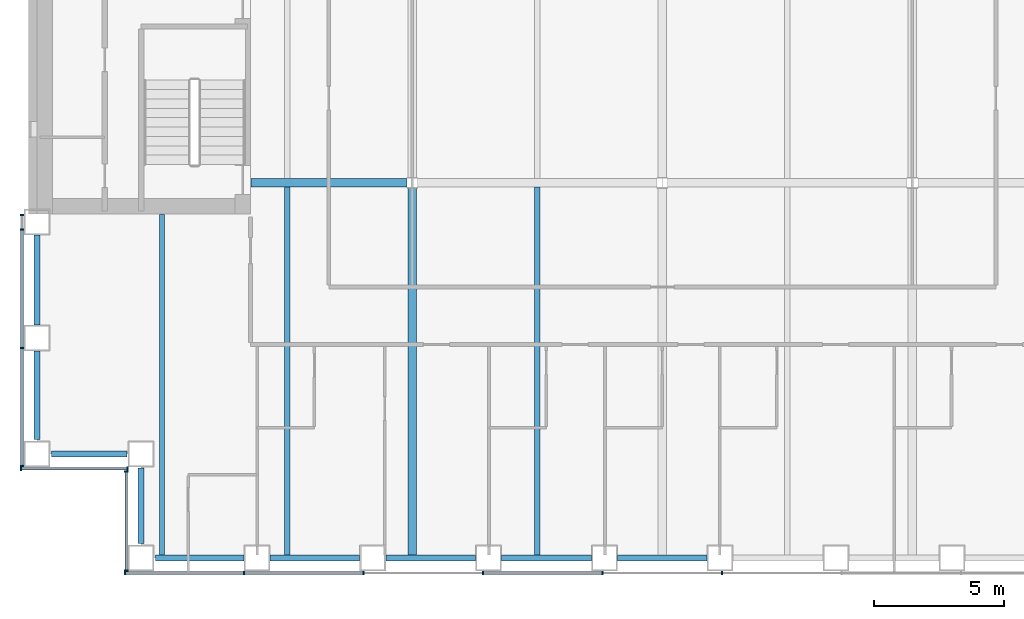
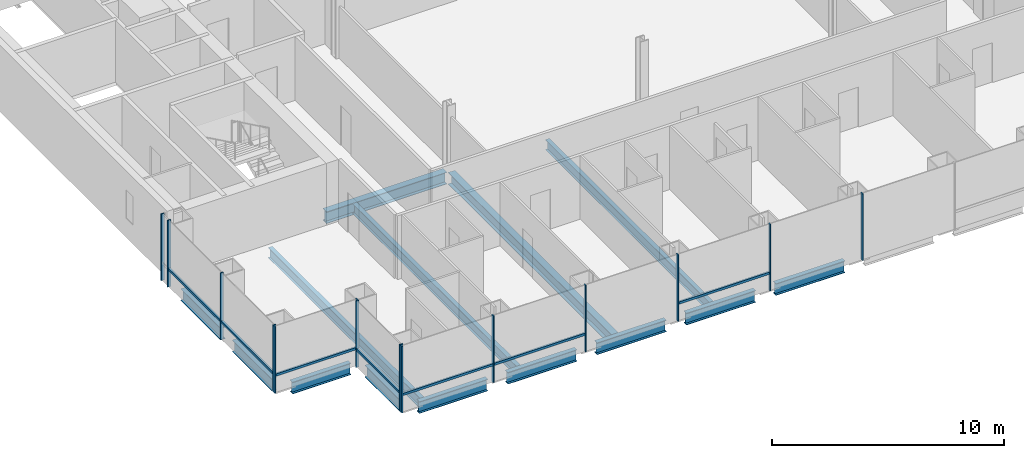
# One storey, part 2 of 21: 21 members, 14 beams, 4 elements without a shape of their own.
"""IFC4 building model written with IfcOpenShell, lengths in metres."""

import ifcopenshell
import ifcopenshell.guid

model = None  # the IFC model being written
_history = None  # IfcOwnerHistory: only IFC2X3 demands one
_inside = {}  # id of a spatial element -> (the spatial element, [elements in it])
_under = {}  # id of a project, library or spatial element -> (it, [spatial elements below it])
_declared = {}  # id of a project -> (the project, [libraries it declares])
_typed = {}  # id of a type object -> (the type object, [elements of that type])
_made_of = {}  # id of a material, layer set ... -> (it, [elements and type objects made of it])


def new_model(schema):
    """Start an empty IFC model of exactly this schema.

    Asked for "IFC4X3", IfcOpenShell would pick the latest addendum, in which some entities
    have other attributes; the version numbers below select the first issue.
    IFC2X3 requires an IfcOwnerHistory on every rooted entity: one is made here for all.
    """
    global model, _history
    if schema == "IFC4X3":
        model = ifcopenshell.file(schema_version=(4, 3, 0, 0))
    else:
        model = ifcopenshell.file(schema=schema)
    _inside.clear()
    _under.clear()
    _declared.clear()
    _typed.clear()
    _made_of.clear()
    _history = None
    if model.schema == "IFC2X3":
        org = make("IfcOrganization", Name="unknown")
        user = make(
            "IfcPersonAndOrganization",
            ThePerson=make("IfcPerson", FamilyName="unknown"),
            TheOrganization=org,
        )
        app = make(
            "IfcApplication",
            ApplicationDeveloper=org,
            Version="unknown",
            ApplicationFullName="unknown",
            ApplicationIdentifier="unknown",
        )
        _history = make(
            "IfcOwnerHistory",
            OwningUser=user,
            OwningApplication=app,
            ChangeAction="ADDED",
            CreationDate=0,
        )
    return model


def make(cls, **values):
    """One entity of the class cls with the attributes given. An attribute that is None is left unset."""
    return model.create_entity(
        cls, **{name: value for name, value in values.items() if value is not None}
    )


def rooted(cls, **values):
    """An entity with a GlobalId (a new one), such as an element, a storey or a relation."""
    return make(cls, GlobalId=ifcopenshell.guid.new(), OwnerHistory=_history, **values)


def si_unit(unit_type, name, prefix=None):
    """IfcSIUnit, for example si_unit("LENGTHUNIT", "METRE", prefix="MILLI")."""
    return make("IfcSIUnit", UnitType=unit_type, Prefix=prefix, Name=name)


def assignment(units):
    """IfcUnitAssignment: the units of a project."""
    return None if units is None else make("IfcUnitAssignment", Units=units)


def point(xyz):
    """IfcCartesianPoint."""
    return None if xyz is None else make("IfcCartesianPoint", Coordinates=xyz)


def direction(xyz):
    """IfcDirection."""
    return None if xyz is None else make("IfcDirection", DirectionRatios=xyz)


def frame(location, z_axis=None, x_axis=None):
    """IfcAxis2Placement3D, a coordinate frame: its origin and axes. An axis left out is left unset."""
    return make(
        "IfcAxis2Placement3D",
        Location=point(location),
        Axis=direction(z_axis),
        RefDirection=direction(x_axis),
    )


def frame_2d(location, x_axis=None):
    """IfcAxis2Placement2D, a coordinate frame in the plane: its origin and x axis."""
    return make(
        "IfcAxis2Placement2D", Location=point(location), RefDirection=direction(x_axis)
    )


def origin():
    """The frame at (0, 0, 0) with its axes left unset."""
    return frame((0.0, 0.0, 0.0))


def origin_2d():
    """The frame at (0, 0) in the plane with its x axis left unset."""
    return frame_2d((0.0, 0.0))


def place(relative_to, where):
    """IfcLocalPlacement: puts the frame where relative to a parent placement (None: the world)."""
    return make(
        "IfcLocalPlacement", PlacementRelTo=relative_to, RelativePlacement=where
    )


def context(
    kind, dimensions, precision=None, world=None, true_north=None, identifier=None
):
    """IfcGeometricRepresentationContext, for example the 3D "Model" context."""
    return make(
        "IfcGeometricRepresentationContext",
        ContextIdentifier=identifier,
        ContextType=kind,
        CoordinateSpaceDimension=dimensions,
        Precision=precision,
        WorldCoordinateSystem=world,
        TrueNorth=true_north,
    )


def subcontext(parent, identifier, kind, view, scale=None):
    """IfcGeometricRepresentationSubContext, for example "Body" below "Model"."""
    return make(
        "IfcGeometricRepresentationSubContext",
        ContextIdentifier=identifier,
        ContextType=kind,
        ParentContext=parent,
        TargetScale=scale,
        TargetView=view,
    )


def project(units=None, contexts=None):
    """IfcProject with its units and contexts."""
    return rooted(
        "IfcProject",
        Name="project",
        RepresentationContexts=contexts,
        UnitsInContext=assignment(units),
    )


def spatial(cls, under=None, at=None, **own):
    """A site, building, storey or space (cls), placed at a placement, below another one or the project."""
    s = rooted(cls, ObjectPlacement=at, **own)
    if under is not None:
        _under.setdefault(under.id(), (under, []))[1].append(s)
    return s


def profile(cls, at=None, kind="AREA", **sizes):
    """A parametric profile (cls). Its sizes go by their IFC names, for example OverallWidth=200.0."""
    return make(cls, ProfileType=kind, Position=at, **sizes)


def rectangle(**sizes):
    """IfcRectangleProfileDef."""
    return profile("IfcRectangleProfileDef", **sizes)


def i_section(**sizes):
    """IfcIShapeProfileDef."""
    return profile("IfcIShapeProfileDef", **sizes)


def extrude(swept, where, along, depth):
    """IfcExtrudedAreaSolid: the profile swept, set in the frame where, extruded along a direction by depth."""
    return make(
        "IfcExtrudedAreaSolid",
        SweptArea=swept,
        Position=where,
        ExtrudedDirection=direction(along),
        Depth=depth,
    )


def shape(context_of_items, identifier, shape_type, items):
    """IfcShapeRepresentation: the items that make up one representation, for example the "Body"."""
    return make(
        "IfcShapeRepresentation",
        ContextOfItems=context_of_items,
        RepresentationIdentifier=identifier,
        RepresentationType=shape_type,
        Items=items,
    )


def material(Name=None, Category=None):
    """IfcMaterial."""
    return make("IfcMaterial", Name=Name, Category=Category)


def material_profile(
    of_material, cross_section, Name=None, Category=None, Priority=None
):
    """IfcMaterialProfile: a cross section and its material."""
    return make(
        "IfcMaterialProfile",
        Name=Name,
        Material=of_material,
        Profile=cross_section,
        Priority=Priority,
        Category=Category,
    )


def profile_set(profiles, Name=None, composite=None):
    """IfcMaterialProfileSet."""
    return make(
        "IfcMaterialProfileSet",
        Name=Name,
        MaterialProfiles=profiles,
        CompositeProfile=composite,
    )


def made_of(thing, what):
    """Note that an element or type object is made of a material, layer set ...; save() writes the relation."""
    if what is not None:
        _made_of.setdefault(what.id(), (what, []))[1].append(thing)
    return thing


def type_object(cls, material=None, **own):
    """A type object (cls), such as IfcWallType, which elements share."""
    return made_of(rooted(cls, **own), material)


def element(
    cls,
    number,
    at=None,
    inside=None,
    cuts=None,
    type_object=None,
    material=None,
    context=None,
    identifier="Body",
    shape_type=None,
    held_by="IfcProductDefinitionShape",
    body=None,
    shapes=None,
    **own,
):
    """One element of the class cls, such as IfcWall. Its Tag is "e" and its number.

    at: its placement. inside: the storey or other place that contains it. cuts: it is an
    opening in that element (IfcRelVoidsElement). A single representation is given by context,
    identifier, shape_type and body (its items); several are given by shapes. held_by: the class
    of the entity that holds the representations. save() writes the other relations.
    """
    e = rooted(cls, Tag="e%d" % number, ObjectPlacement=at, **own)
    if body is not None:
        shapes = [shape(context, identifier, shape_type, body)]
    if shapes is not None:
        e.Representation = make(held_by, Representations=shapes)
    if inside is not None:
        _inside.setdefault(inside.id(), (inside, []))[1].append(e)
    if cuts is not None:
        rooted(
            "IfcRelVoidsElement", RelatingBuildingElement=cuts, RelatedOpeningElement=e
        )
    if type_object is not None:
        _typed.setdefault(type_object.id(), (type_object, []))[1].append(e)
    return made_of(e, material)


def aggregate(whole, parts):
    """IfcRelAggregates: a whole, such as a stair, and the parts it consists of."""
    return rooted("IfcRelAggregates", RelatingObject=whole, RelatedObjects=parts)


def save(model, path):
    """Write the relations noted so far, then the file.

    IfcRelAggregates (storeys below a building ...), IfcRelContainedInSpatialStructure (elements
    in a storey), IfcRelDefinesByType, IfcRelAssociatesMaterial and IfcRelDeclares: one each for
    every whole, place, type object, material and project.
    """
    for whole, parts in _under.values():
        aggregate(whole, parts)
    for where, things in _inside.values():
        rooted(
            "IfcRelContainedInSpatialStructure",
            RelatedElements=things,
            RelatingStructure=where,
        )
    for kind, things in _typed.values():
        rooted("IfcRelDefinesByType", RelatedObjects=things, RelatingType=kind)
    for what, things in _made_of.values():
        rooted("IfcRelAssociatesMaterial", RelatedObjects=things, RelatingMaterial=what)
    for by, libraries in _declared.values():
        rooted("IfcRelDeclares", RelatingContext=by, RelatedDefinitions=libraries)
    model.write(path)


model = new_model("IFC4")

# Units and contexts
model_context = context("Model", 3, precision=1e-05, world=origin(), true_north=direction((0.0, 1.0)))
body_context = subcontext(model_context, "Body", "Model", "MODEL_VIEW")
ifc_project = project(units=[si_unit("LENGTHUNIT", "METRE"), si_unit("AREAUNIT", "SQUARE_METRE"), si_unit("VOLUMEUNIT", "CUBIC_METRE"), si_unit("PLANEANGLEUNIT", "RADIAN"), si_unit("MASSUNIT", "GRAM", prefix="KILO")], contexts=[model_context])

# Site, building, storey
site_placement = place(None, origin())
site = spatial("IfcSite", under=ifc_project, at=site_placement, CompositionType="ELEMENT")
building_placement = place(site_placement, origin())
building = spatial("IfcBuilding", under=site, at=building_placement, Name="Cobrizo Arcos Hotel Tower", CompositionType="ELEMENT")
storey_placement = place(building_placement, frame((0.0, 0.0, 42.5)))
storey = spatial("IfcBuildingStorey", under=building, at=storey_placement, Name="L08", CompositionType="ELEMENT", Elevation=42.5)

# Curtain wall, members
ifc_material_1 = material(Name="Aluminium 6063-T6 anodised bronze", Category="aluminium")
curtain_wall_type = type_object("IfcCurtainWallType", Name="CW-A guest facade", PredefinedType="NOTDEFINED", material=ifc_material_1)
curtain_wall_1_placement = place(storey_placement, origin())
curtain_wall_1 = element("IfcCurtainWall", 1, at=curtain_wall_1_placement, inside=storey, type_object=curtain_wall_type, Name="CW-A L08 S face", PredefinedType="NOTDEFINED")
ifc_material_profile_1 = material_profile(ifc_material_1, rectangle(XDim=0.14990234375, YDim=0.06005859375, at=origin_2d()), Name="CW-A mullion 150x60")
ifc_profile_set_1 = profile_set([ifc_material_profile_1], Name="Aluminium 6063-T6 anodised bronze")
member_type_1 = type_object("IfcMemberType", Name="CW-A mullion 150x60", PredefinedType="MULLION", material=ifc_profile_set_1)
member_1_placement = place(storey_placement, frame((-20.6201171875, -24.574951171875, 0.0), z_axis=(0.0, 0.0, 1.0), x_axis=(0.0, -1.0, 0.0)))
member_1 = element("IfcMember", 2, at=member_1_placement, type_object=member_type_1, Name="CW-A mullion 1", PredefinedType="MULLION", context=body_context, shape_type="SweptSolid", body=[
    extrude(rectangle(XDim=0.14990234375, YDim=0.06005859375, at=origin_2d()), origin(), (0.0, 0.0, 1.0), 3.5),
])
member_2_placement = place(storey_placement, frame((-16.06103515625, -24.574951171875, 0.0), z_axis=(0.0, 0.0, 1.0), x_axis=(0.0, -1.0, 0.0)))
member_2 = element("IfcMember", 3, at=member_2_placement, type_object=member_type_1, Name="CW-A mullion 2", PredefinedType="MULLION", context=body_context, shape_type="SweptSolid", body=[
    extrude(rectangle(XDim=0.14990234375, YDim=0.06005859375, at=origin_2d()), origin(), (0.0, 0.0, 1.0), 3.5),
])
member_3_placement = place(storey_placement, frame((-11.47216796875, -24.574951171875, 0.0), z_axis=(0.0, 0.0, 1.0), x_axis=(0.0, -1.0, 0.0)))
member_3 = element("IfcMember", 4, at=member_3_placement, type_object=member_type_1, Name="CW-A mullion 3", PredefinedType="MULLION", context=body_context, shape_type="SweptSolid", body=[
    extrude(rectangle(XDim=0.14990234375, YDim=0.06005859375, at=origin_2d()), origin(), (0.0, 0.0, 1.0), 3.5),
])
member_4_placement = place(storey_placement, frame((-6.88330078125, -24.574951171875, 0.0), z_axis=(0.0, 0.0, 1.0), x_axis=(0.0, -1.0, 0.0)))
member_4 = element("IfcMember", 5, at=member_4_placement, type_object=member_type_1, Name="CW-A mullion 4", PredefinedType="MULLION", context=body_context, shape_type="SweptSolid", body=[
    extrude(rectangle(XDim=0.14990234375, YDim=0.06005859375, at=origin_2d()), origin(), (0.0, 0.0, 1.0), 3.5),
])
member_5_placement = place(storey_placement, frame((-2.29443359375, -24.574951171875, 0.0), z_axis=(0.0, 0.0, 1.0), x_axis=(0.0, -1.0, 0.0)))
member_5 = element("IfcMember", 6, at=member_5_placement, type_object=member_type_1, Name="CW-A mullion 5", PredefinedType="MULLION", context=body_context, shape_type="SweptSolid", body=[
    extrude(rectangle(XDim=0.14990234375, YDim=0.06005859375, at=origin_2d()), origin(), (0.0, 0.0, 1.0), 3.5),
])
member_6_placement = place(storey_placement, frame((2.29443359375, -24.574951171875, 0.0), z_axis=(0.0, 0.0, 1.0), x_axis=(0.0, -1.0, 0.0)))
member_6 = element("IfcMember", 7, at=member_6_placement, type_object=member_type_1, Name="CW-A mullion 6", PredefinedType="MULLION", context=body_context, shape_type="SweptSolid", body=[
    extrude(rectangle(XDim=0.14990234375, YDim=0.06005859375, at=origin_2d()), origin(), (0.0, 0.0, 1.0), 3.5),
])

curtain_wall_2_placement = place(storey_placement, origin())
curtain_wall_2 = element("IfcCurtainWall", 8, at=curtain_wall_2_placement, inside=storey, type_object=curtain_wall_type, Name="CW-A L08 W face", PredefinedType="NOTDEFINED")
member_7_placement = place(storey_placement, frame((-24.574951171875, -10.830078125, 0.0), z_axis=(0.0, 0.0, 1.0), x_axis=(-1.0, 0.0, 0.0)))
member_7 = element("IfcMember", 9, at=member_7_placement, type_object=member_type_1, Name="CW-A mullion 1", PredefinedType="MULLION", context=body_context, shape_type="SweptSolid", body=[
    extrude(rectangle(XDim=0.14990234375, YDim=0.06005859375, at=origin_2d()), origin(), (0.0, 0.0, 1.0), 3.5),
])
member_8_placement = place(storey_placement, frame((-24.574951171875, -11.388916015625, 0.0), z_axis=(0.0, 0.0, 1.0), x_axis=(-1.0, 0.0, 0.0)))
member_8 = element("IfcMember", 10, at=member_8_placement, type_object=member_type_1, Name="CW-A mullion 2", PredefinedType="MULLION", context=body_context, shape_type="SweptSolid", body=[
    extrude(rectangle(XDim=0.14990234375, YDim=0.06005859375, at=origin_2d()), origin(), (0.0, 0.0, 1.0), 3.5),
])
member_9_placement = place(storey_placement, frame((-24.574951171875, -15.9443359375, 0.0), z_axis=(0.0, 0.0, 1.0), x_axis=(-1.0, 0.0, 0.0)))
member_9 = element("IfcMember", 11, at=member_9_placement, type_object=member_type_1, Name="CW-A mullion 3", PredefinedType="MULLION", context=body_context, shape_type="SweptSolid", body=[
    extrude(rectangle(XDim=0.14990234375, YDim=0.06005859375, at=origin_2d()), origin(), (0.0, 0.0, 1.0), 3.5),
])
member_10_placement = place(storey_placement, frame((-24.574951171875, -20.469970703125, 0.0), z_axis=(0.0, 0.0, 1.0), x_axis=(-1.0, 0.0, 0.0)))
member_10 = element("IfcMember", 12, at=member_10_placement, type_object=member_type_1, Name="CW-A mullion 4", PredefinedType="MULLION", context=body_context, shape_type="SweptSolid", body=[
    extrude(rectangle(XDim=0.14990234375, YDim=0.06005859375, at=origin_2d()), origin(), (0.0, 0.0, 1.0), 3.5),
])

curtain_wall_3_placement = place(storey_placement, origin())
curtain_wall_3 = element("IfcCurtainWall", 13, at=curtain_wall_3_placement, inside=storey, type_object=curtain_wall_type, Name="CW-A L08 S face", PredefinedType="NOTDEFINED")
member_11_placement = place(storey_placement, frame((-24.6201171875, -20.574951171875, 0.0), z_axis=(0.0, 0.0, 1.0), x_axis=(0.0, -1.0, 0.0)))
member_11 = element("IfcMember", 14, at=member_11_placement, type_object=member_type_1, Name="CW-A mullion 1", PredefinedType="MULLION", context=body_context, shape_type="SweptSolid", body=[
    extrude(rectangle(XDim=0.14990234375, YDim=0.06005859375, at=origin_2d()), origin(), (0.0, 0.0, 1.0), 3.5),
])
member_12_placement = place(storey_placement, frame((-20.530029296875, -20.574951171875, 0.0), z_axis=(0.0, 0.0, 1.0), x_axis=(0.0, -1.0, 0.0)))
member_12 = element("IfcMember", 15, at=member_12_placement, type_object=member_type_1, Name="CW-A mullion 2", PredefinedType="MULLION", context=body_context, shape_type="SweptSolid", body=[
    extrude(rectangle(XDim=0.14990234375, YDim=0.06005859375, at=origin_2d()), origin(), (0.0, 0.0, 1.0), 3.5),
])

curtain_wall_4_placement = place(storey_placement, origin())
curtain_wall_4 = element("IfcCurtainWall", 16, at=curtain_wall_4_placement, inside=storey, type_object=curtain_wall_type, Name="CW-A L08 W face", PredefinedType="NOTDEFINED")
member_13_placement = place(storey_placement, frame((-20.574951171875, -20.679931640625, 0.0), z_axis=(0.0, 0.0, 1.0), x_axis=(-1.0, 0.0, 0.0)))
member_13 = element("IfcMember", 17, at=member_13_placement, type_object=member_type_1, Name="CW-A mullion 1", PredefinedType="MULLION", context=body_context, shape_type="SweptSolid", body=[
    extrude(rectangle(XDim=0.14990234375, YDim=0.06005859375, at=origin_2d()), origin(), (0.0, 0.0, 1.0), 3.5),
])
member_14_placement = place(storey_placement, frame((-20.574951171875, -24.469970703125, 0.0), z_axis=(0.0, 0.0, 1.0), x_axis=(-1.0, 0.0, 0.0)))
member_14 = element("IfcMember", 18, at=member_14_placement, type_object=member_type_1, Name="CW-A mullion 2", PredefinedType="MULLION", context=body_context, shape_type="SweptSolid", body=[
    extrude(rectangle(XDim=0.14990234375, YDim=0.06005859375, at=origin_2d()), origin(), (0.0, 0.0, 1.0), 3.5),
])

# Member
ifc_material_profile_2 = material_profile(ifc_material_1, rectangle(XDim=0.10009765625, YDim=0.1201171875, at=origin_2d()), Name="CW-A transom 120x100")
ifc_profile_set_2 = profile_set([ifc_material_profile_2], Name="Aluminium 6063-T6 anodised bronze")
member_type_2 = type_object("IfcMemberType", Name="CW-A transom 120x100", PredefinedType="USERDEFINED", material=ifc_profile_set_2)
member_15_placement = place(storey_placement, frame((-20.590087890625, -24.574951171875, 0.929931640625), z_axis=(1.0, 0.0, 0.0), x_axis=(0.0, 1.0, 0.0)))
member_15 = element("IfcMember", 19, at=member_15_placement, type_object=member_type_2, Name="CW-A transom 399", ObjectType="TRANSOM", PredefinedType="USERDEFINED", context=body_context, shape_type="SweptSolid", body=[
    extrude(rectangle(XDim=0.10009765625, YDim=0.1201171875, at=origin_2d()), origin(), (0.0, 0.0, 1.0), 4.4990234375),
])

member_16_placement = place(storey_placement, frame((-16.031005859375, -24.574951171875, 0.929931640625), z_axis=(1.0, 0.0, 0.0), x_axis=(0.0, 1.0, 0.0)))
member_16 = element("IfcMember", 20, at=member_16_placement, type_object=member_type_2, Name="CW-A transom 400", ObjectType="TRANSOM", PredefinedType="USERDEFINED", context=body_context, shape_type="SweptSolid", body=[
    extrude(rectangle(XDim=0.10009765625, YDim=0.1201171875, at=origin_2d()), origin(), (0.0, 0.0, 1.0), 4.52880859375),
])

member_17_placement = place(storey_placement, frame((-6.853271484375, -24.574951171875, 0.929931640625), z_axis=(1.0, 0.0, 0.0), x_axis=(0.0, 1.0, 0.0)))
member_17 = element("IfcMember", 21, at=member_17_placement, type_object=member_type_2, Name="CW-A transom 402", ObjectType="TRANSOM", PredefinedType="USERDEFINED", context=body_context, shape_type="SweptSolid", body=[
    extrude(rectangle(XDim=0.10009765625, YDim=0.1201171875, at=origin_2d()), origin(), (0.0, 0.0, 1.0), 4.52880859375),
])

aggregate(curtain_wall_1, [member_1, member_2, member_3, member_4, member_5, member_6, member_15, member_16, member_17])

member_18_placement = place(storey_placement, frame((-24.574951171875, -11.4189453125, 0.929931640625), z_axis=(0.0, -1.0, 0.0), x_axis=(1.0, 0.0, 0.0)))
member_18 = element("IfcMember", 22, at=member_18_placement, type_object=member_type_2, Name="CW-A transom 433", ObjectType="TRANSOM", PredefinedType="USERDEFINED", context=body_context, shape_type="SweptSolid", body=[
    extrude(rectangle(XDim=0.10009765625, YDim=0.1201171875, at=origin_2d()), origin(), (0.0, 0.0, 1.0), 4.49560546875),
])

member_19_placement = place(storey_placement, frame((-24.574951171875, -15.974365234375, 0.929931640625), z_axis=(0.0, -1.0, 0.0), x_axis=(1.0, 0.0, 0.0)))
member_19 = element("IfcMember", 23, at=member_19_placement, type_object=member_type_2, Name="CW-A transom 434", ObjectType="TRANSOM", PredefinedType="USERDEFINED", context=body_context, shape_type="SweptSolid", body=[
    extrude(rectangle(XDim=0.10009765625, YDim=0.1201171875, at=origin_2d()), origin(), (0.0, 0.0, 1.0), 4.465576171875),
])

aggregate(curtain_wall_2, [member_7, member_8, member_9, member_10, member_18, member_19])

member_20_placement = place(storey_placement, frame((-24.590087890625, -20.574951171875, 0.929931640625), z_axis=(1.0, 0.0, 0.0), x_axis=(0.0, 1.0, 0.0)))
member_20 = element("IfcMember", 24, at=member_20_placement, type_object=member_type_2, Name="CW-A transom 435", ObjectType="TRANSOM", PredefinedType="USERDEFINED", context=body_context, shape_type="SweptSolid", body=[
    extrude(rectangle(XDim=0.10009765625, YDim=0.1201171875, at=origin_2d()), origin(), (0.0, 0.0, 1.0), 4.030029296875),
])

aggregate(curtain_wall_3, [member_11, member_12, member_20])

member_21_placement = place(storey_placement, frame((-20.574951171875, -20.7099609375, 0.929931640625), z_axis=(0.0, -1.0, 0.0), x_axis=(1.0, 0.0, 0.0)))
member_21 = element("IfcMember", 25, at=member_21_placement, type_object=member_type_2, Name="CW-A transom 436", ObjectType="TRANSOM", PredefinedType="USERDEFINED", context=body_context, shape_type="SweptSolid", body=[
    extrude(rectangle(XDim=0.10009765625, YDim=0.1201171875, at=origin_2d()), origin(), (0.0, 0.0, 1.0), 3.72998046875),
])

aggregate(curtain_wall_4, [member_13, member_14, member_21])

# Beams
ifc_material_2 = material(Name="Steel ASTM A992 Grade 50", Category="steel")
ifc_material_profile_3 = material_profile(ifc_material_2, i_section(OverallWidth=0.209228515625, OverallDepth=0.533447265625, WebThickness=0.01025390625, FlangeThickness=0.015625, at=origin_2d()), Name="W21X62")
ifc_profile_set_3 = profile_set([ifc_material_profile_3], Name="Steel ASTM A992 Grade 50")
beam_type_1 = type_object("IfcBeamType", Name="W21X62 joist", PredefinedType="JOIST", material=ifc_profile_set_3)
beam_1_placement = place(storey_placement, frame((-19.199951171875, -23.909912109375, -0.416748046875), z_axis=(0.0, 1.0, 0.0), x_axis=(-1.0, 0.0, 0.0)))
element("IfcBeam", 26, at=beam_1_placement, inside=storey, type_object=beam_type_1, Name="Floor joist J1, L08, no. 001", PredefinedType="JOIST", context=body_context, shape_type="SweptSolid", body=[
    extrude(i_section(OverallWidth=0.209228515625, OverallDepth=0.533447265625, WebThickness=0.01025390625, FlangeThickness=0.015625, at=origin_2d()), origin(), (0.0, 0.0, 1.0), 13.099853515625),
])
for number, where, z_axis, x_axis, name in (
    (27, (-14.39990234375, -23.909912109375, -0.416748046875), (0.0, 1.0, 0.0), (-1.0, 0.0, 0.0), "Floor joist J1, L08, no. 003"),
    (28, (-4.800048828125, -23.909912109375, -0.416748046875), (0.0, 1.0, 0.0), (-1.0, 0.0, 0.0), "Floor joist J1, L08, no. 007"),
):
    element("IfcBeam", number, at=place(storey_placement, frame(where, z_axis=z_axis, x_axis=x_axis)), inside=storey, type_object=beam_type_1, Name=name, PredefinedType="JOIST", context=body_context, shape_type="SweptSolid", body=[
        extrude(i_section(OverallWidth=0.209228515625, OverallDepth=0.533447265625, WebThickness=0.01025390625, FlangeThickness=0.015625, at=origin_2d()), origin(), (0.0, 0.0, 1.0), 14.14599609375),
    ])
ifc_material_profile_4 = material_profile(ifc_material_2, i_section(OverallWidth=0.32763671875, OverallDepth=0.622314453125, WebThickness=0.015380859375, FlangeThickness=0.0244140625, at=origin_2d()), Name="W24X131")
ifc_profile_set_4 = profile_set([ifc_material_profile_4], Name="Steel ASTM A992 Grade 50")
beam_type_2 = type_object("IfcBeamType", Name="W24X131 girder", PredefinedType="BEAM", material=ifc_profile_set_4)
beam_2_placement = place(storey_placement, frame((-15.7900390625, -9.60009765625, -0.461181640625), z_axis=(1.0, 0.0, 0.0), x_axis=(0.0, 1.0, 0.0)))
element("IfcBeam", 29, at=beam_2_placement, inside=storey, type_object=beam_type_2, Name="Floor girder G1, L08, no. 001", PredefinedType="BEAM", context=body_context, shape_type="SweptSolid", body=[
    extrude(i_section(OverallWidth=0.32763671875, OverallDepth=0.622314453125, WebThickness=0.015380859375, FlangeThickness=0.0244140625, at=origin_2d()), origin(), (0.0, 0.0, 1.0), 5.985595703125),
])
beam_3_placement = place(storey_placement, frame((-9.60009765625, -23.909912109375, -0.461181640625), z_axis=(0.0, 1.0, 0.0), x_axis=(-1.0, 0.0, 0.0)))
element("IfcBeam", 30, at=beam_3_placement, inside=storey, type_object=beam_type_2, Name="Floor girder G1, L08, no. 013", PredefinedType="BEAM", context=body_context, shape_type="SweptSolid", body=[
    extrude(i_section(OverallWidth=0.32763671875, OverallDepth=0.622314453125, WebThickness=0.015380859375, FlangeThickness=0.0244140625, at=origin_2d()), origin(), (0.0, 0.0, 1.0), 14.10546875),
])
ifc_material_profile_5 = material_profile(ifc_material_2, i_section(OverallWidth=0.23046875, OverallDepth=0.6171875, WebThickness=0.01318359375, FlangeThickness=0.022216796875, at=origin_2d()), Name="W24X94")
ifc_profile_set_5 = profile_set([ifc_material_profile_5], Name="Steel ASTM A992 Grade 50")
beam_type_3 = type_object("IfcBeamType", Name="W24X94 spandrel", PredefinedType="SPANDREL", material=ifc_profile_set_5)
beam_4_placement = place(storey_placement, frame((-19.449951171875, -24.0, -0.45849609375), z_axis=(1.0, 0.0, 0.0), x_axis=(0.0, 1.0, 0.0)))
element("IfcBeam", 31, at=beam_4_placement, inside=storey, type_object=beam_type_3, Name="Spandrel beam W24X94, L08, no. 001", PredefinedType="SPANDREL", context=body_context, shape_type="SweptSolid", body=[
    extrude(i_section(OverallWidth=0.23046875, OverallDepth=0.6171875, WebThickness=0.01318359375, FlangeThickness=0.022216796875, at=origin_2d()), origin(), (0.0, 0.0, 1.0), 3.39404296875),
])
beam_5_placement = place(storey_placement, frame((-15.055908203125, -24.0, -0.45849609375), z_axis=(1.0, 0.0, 0.0), x_axis=(0.0, 1.0, 0.0)))
element("IfcBeam", 32, at=beam_5_placement, inside=storey, type_object=beam_type_3, Name="Spandrel beam W24X94, L08, no. 002", PredefinedType="SPANDREL", context=body_context, shape_type="SweptSolid", body=[
    extrude(i_section(OverallWidth=0.23046875, OverallDepth=0.6171875, WebThickness=0.01318359375, FlangeThickness=0.022216796875, at=origin_2d()), origin(), (0.0, 0.0, 1.0), 3.44482421875),
])
beam_6_placement = place(storey_placement, frame((-10.611083984375, -24.0, -0.45849609375), z_axis=(1.0, 0.0, 0.0), x_axis=(0.0, 1.0, 0.0)))
element("IfcBeam", 33, at=beam_6_placement, inside=storey, type_object=beam_type_3, Name="Spandrel beam W24X94, L08, no. 003", PredefinedType="SPANDREL", context=body_context, shape_type="SweptSolid", body=[
    extrude(i_section(OverallWidth=0.23046875, OverallDepth=0.6171875, WebThickness=0.01318359375, FlangeThickness=0.022216796875, at=origin_2d()), origin(), (0.0, 0.0, 1.0), 3.444091796875),
])
beam_7_placement = place(storey_placement, frame((-6.1669921875, -24.0, -0.45849609375), z_axis=(1.0, 0.0, 0.0), x_axis=(0.0, 1.0, 0.0)))
element("IfcBeam", 34, at=beam_7_placement, inside=storey, type_object=beam_type_3, Name="Spandrel beam W24X94, L08, no. 004", PredefinedType="SPANDREL", context=body_context, shape_type="SweptSolid", body=[
    extrude(i_section(OverallWidth=0.23046875, OverallDepth=0.6171875, WebThickness=0.01318359375, FlangeThickness=0.022216796875, at=origin_2d()), origin(), (0.0, 0.0, 1.0), 3.445068359375),
])
beam_8_placement = place(storey_placement, frame((-1.721923828125, -24.0, -0.45849609375), z_axis=(1.0, 0.0, 0.0), x_axis=(0.0, 1.0, 0.0)))
element("IfcBeam", 35, at=beam_8_placement, inside=storey, type_object=beam_type_3, Name="Spandrel beam W24X94, L08, no. 005", PredefinedType="SPANDREL", context=body_context, shape_type="SweptSolid", body=[
    extrude(i_section(OverallWidth=0.23046875, OverallDepth=0.6171875, WebThickness=0.01318359375, FlangeThickness=0.022216796875, at=origin_2d()), origin(), (0.0, 0.0, 1.0), 3.44384765625),
])
beam_9_placement = place(storey_placement, frame((-24.0, -11.611083984375, -0.45849609375), z_axis=(0.0, -1.0, 0.0), x_axis=(1.0, 0.0, 0.0)))
element("IfcBeam", 36, at=beam_9_placement, inside=storey, type_object=beam_type_3, Name="Spandrel beam W24X94, L08, no. 031", PredefinedType="SPANDREL", context=body_context, shape_type="SweptSolid", body=[
    extrude(i_section(OverallWidth=0.23046875, OverallDepth=0.6171875, WebThickness=0.01318359375, FlangeThickness=0.022216796875, at=origin_2d()), origin(), (0.0, 0.0, 1.0), 3.44482421875),
])
beam_10_placement = place(storey_placement, frame((-24.0, -16.055908203125, -0.45849609375), z_axis=(0.0, -1.0, 0.0), x_axis=(1.0, 0.0, 0.0)))
element("IfcBeam", 37, at=beam_10_placement, inside=storey, type_object=beam_type_3, Name="Spandrel beam W24X94, L08, no. 032", PredefinedType="SPANDREL", context=body_context, shape_type="SweptSolid", body=[
    extrude(i_section(OverallWidth=0.23046875, OverallDepth=0.6171875, WebThickness=0.01318359375, FlangeThickness=0.022216796875, at=origin_2d()), origin(), (0.0, 0.0, 1.0), 3.39404296875),
])
for number, where, z_axis, x_axis, name in (
    (38, (-23.449951171875, -20.0, -0.45849609375), (1.0, 0.0, 0.0), (0.0, 1.0, 0.0), "Spandrel beam W24X94, L08, no. 033"),
    (39, (-20.0, -20.550048828125, -0.45849609375), (0.0, -1.0, 0.0), (1.0, 0.0, 0.0), "Spandrel beam W24X94, L08, no. 034"),
):
    element("IfcBeam", number, at=place(storey_placement, frame(where, z_axis=z_axis, x_axis=x_axis)), inside=storey, type_object=beam_type_3, Name=name, PredefinedType="SPANDREL", context=body_context, shape_type="SweptSolid", body=[
        extrude(i_section(OverallWidth=0.23046875, OverallDepth=0.6171875, WebThickness=0.01318359375, FlangeThickness=0.022216796875, at=origin_2d()), origin(), (0.0, 0.0, 1.0), 2.89990234375),
    ])

save(model, "model.ifc")
